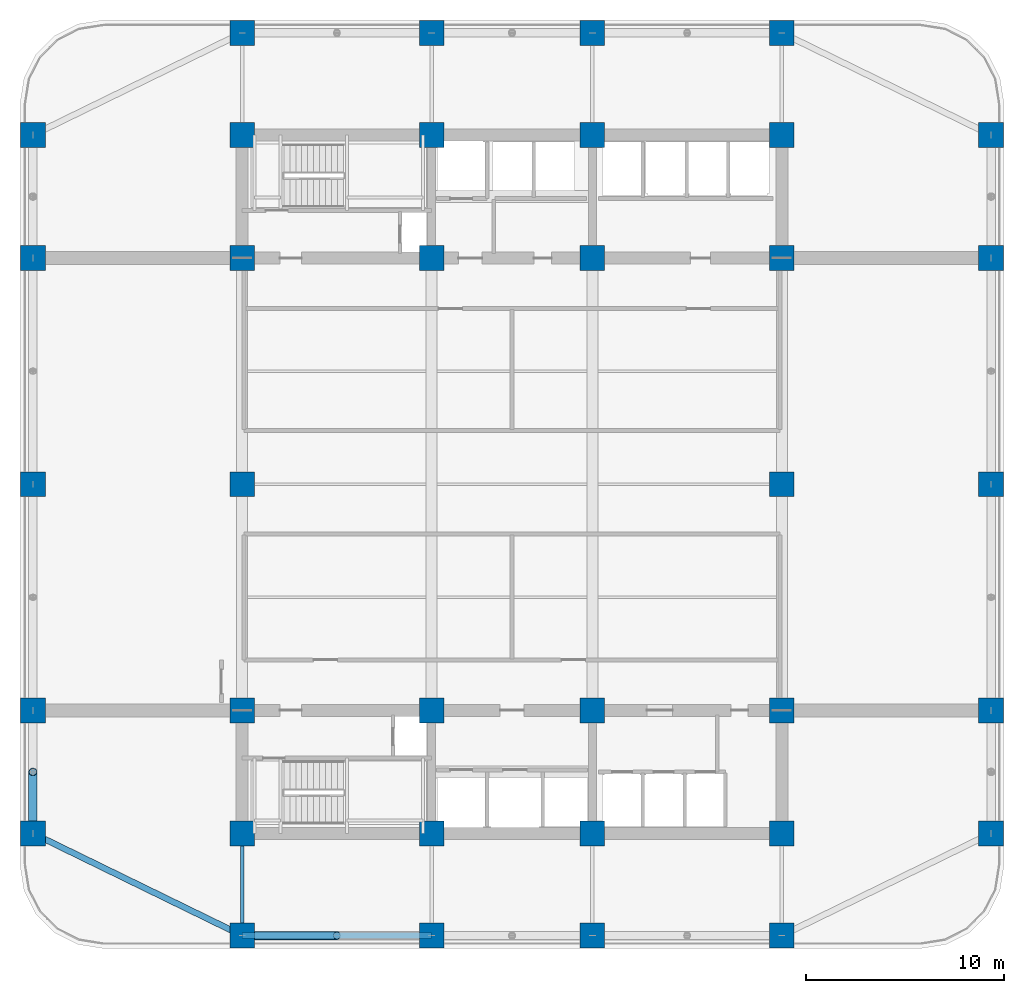
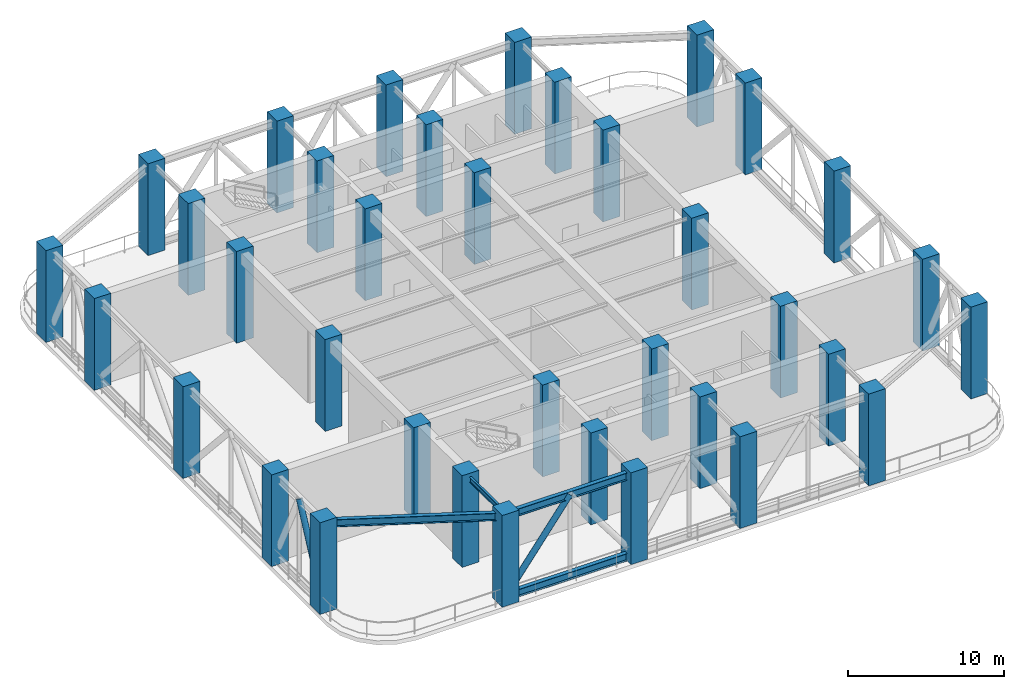
# One storey, part 1 of 20: 36 columns, 4 beams, 2 members.
"""IFC4 building model written with IfcOpenShell, lengths in metres."""

from ifc_helpers import new_model, si_unit, direction, frame, origin, origin_2d, place, context, subcontext, project, spatial, rectangle, hollow_circle, i_section, extrude, material, material_profile, profile_set, type_object, element, save


model = new_model("IFC4")

# Units and contexts
model_context = context("Model", 3, precision=1e-05, world=origin(), true_north=direction((0.0, 1.0)))
body_context = subcontext(model_context, "Body", "Model", "MODEL_VIEW")
ifc_project = project(units=[si_unit("LENGTHUNIT", "METRE"), si_unit("AREAUNIT", "SQUARE_METRE"), si_unit("VOLUMEUNIT", "CUBIC_METRE"), si_unit("PLANEANGLEUNIT", "RADIAN"), si_unit("MASSUNIT", "GRAM", prefix="KILO")], contexts=[model_context])

# Site, building, storey
site_placement = place(None, origin())
site = spatial("IfcSite", under=ifc_project, at=site_placement, CompositionType="ELEMENT")
building_placement = place(site_placement, origin())
building = spatial("IfcBuilding", under=site, at=building_placement, Name="Svetorya Sky Lyceum", CompositionType="ELEMENT")
storey_placement = place(building_placement, frame((0.0, 0.0, 76.89990234375)))
storey = spatial("IfcBuildingStorey", under=building, at=storey_placement, Name="L19", CompositionType="ELEMENT", Elevation=76.89990234375)

# Columns
ifc_material_1 = material(Name="Concrete C60/75", Category="concrete")
ifc_material_profile_1 = material_profile(ifc_material_1, rectangle(XDim=1.25, YDim=1.25, at=origin_2d()), Name="RC COL 1250x1250")
ifc_profile_set_1 = profile_set([ifc_material_profile_1], Name="Concrete C60/75")
column_type = type_object("IfcColumnType", Name="COL-RC-1250", PredefinedType="COLUMN", material=ifc_profile_set_1)
for number, where, z_axis, x_axis, name in (
    (1, (25.60009765625, 10.60009765625, 0.0), (0.0, 0.0, 1.0), (1.0, 0.0, 0.0), "L19 Core Column CS-11"),
    (2, (25.60009765625, 16.800048828125, 0.0), (0.0, 0.0, 1.0), (1.0, 0.0, 0.0), "L19 Core Column CS-12"),
    (3, (35.14990234375, 10.60009765625, 0.0), (0.0, 0.0, 1.0), (1.0, 0.0, 0.0), "L19 Core Column CS-21"),
    (4, (35.14990234375, 16.800048828125, 0.0), (0.0, 0.0, 1.0), (1.0, 0.0, 0.0), "L19 Core Column CS-22"),
    (5, (43.25, 10.60009765625, 0.0), (0.0, 0.0, 1.0), (1.0, 0.0, 0.0), "L19 Core Column CS-31"),
    (6, (43.25, 16.800048828125, 0.0), (0.0, 0.0, 1.0), (1.0, 0.0, 0.0), "L19 Core Column CS-32"),
    (7, (52.800048828125, 10.60009765625, 0.0), (0.0, 0.0, 1.0), (1.0, 0.0, 0.0), "L19 Core Column CS-41"),
    (8, (52.800048828125, 16.800048828125, 0.0), (0.0, 0.0, 1.0), (1.0, 0.0, 0.0), "L19 Core Column CS-42"),
    (9, (25.60009765625, 39.60009765625, 0.0), (0.0, 0.0, 1.0), (1.0, 0.0, 0.0), "L19 Core Column CN-11"),
    (10, (25.60009765625, 45.800048828125, 0.0), (0.0, 0.0, 1.0), (1.0, 0.0, 0.0), "L19 Core Column CN-12"),
    (11, (35.14990234375, 39.60009765625, 0.0), (0.0, 0.0, 1.0), (1.0, 0.0, 0.0), "L19 Core Column CN-21"),
    (12, (35.14990234375, 45.800048828125, 0.0), (0.0, 0.0, 1.0), (1.0, 0.0, 0.0), "L19 Core Column CN-22"),
    (13, (43.25, 39.60009765625, 0.0), (0.0, 0.0, 1.0), (1.0, 0.0, 0.0), "L19 Core Column CN-31"),
    (14, (43.25, 45.800048828125, 0.0), (0.0, 0.0, 1.0), (1.0, 0.0, 0.0), "L19 Core Column CN-32"),
    (15, (52.800048828125, 39.60009765625, 0.0), (0.0, 0.0, 1.0), (1.0, 0.0, 0.0), "L19 Core Column CN-41"),
    (16, (52.800048828125, 45.800048828125, 0.0), (0.0, 0.0, 1.0), (1.0, 0.0, 0.0), "L19 Core Column CN-42"),
    (17, (25.60009765625, 28.199951171875, 0.0), (0.0, 0.0, 1.0), (1.0, 0.0, 0.0), "L19 Core Column CM-W"),
    (18, (52.800048828125, 28.199951171875, 0.0), (0.0, 0.0, 1.0), (1.0, 0.0, 0.0), "L19 Core Column CM-E"),
    (19, (25.60009765625, 5.449951171875, 0.0), (0.0, 0.0, 1.0), (1.0, 0.0, 0.0), "L19 Perimeter Column S1"),
    (20, (25.60009765625, 50.949951171875, 0.0), (0.0, 0.0, 1.0), (1.0, 0.0, 0.0), "L19 Perimeter Column N1"),
    (21, (35.14990234375, 5.449951171875, 0.0), (0.0, 0.0, 1.0), (1.0, 0.0, 0.0), "L19 Perimeter Column S2"),
    (22, (35.14990234375, 50.949951171875, 0.0), (0.0, 0.0, 1.0), (1.0, 0.0, 0.0), "L19 Perimeter Column N2"),
    (23, (43.25, 5.449951171875, 0.0), (0.0, 0.0, 1.0), (1.0, 0.0, 0.0), "L19 Perimeter Column S3"),
    (24, (43.25, 50.949951171875, 0.0), (0.0, 0.0, 1.0), (1.0, 0.0, 0.0), "L19 Perimeter Column N3"),
    (25, (52.800048828125, 5.449951171875, 0.0), (0.0, 0.0, 1.0), (1.0, 0.0, 0.0), "L19 Perimeter Column S4"),
    (26, (52.800048828125, 50.949951171875, 0.0), (0.0, 0.0, 1.0), (1.0, 0.0, 0.0), "L19 Perimeter Column N4"),
    (27, (15.050048828125, 10.60009765625, 0.0), (0.0, 0.0, 1.0), (1.0, 0.0, 0.0), "L19 Perimeter Column W1"),
    (28, (63.35009765625, 10.60009765625, 0.0), (0.0, 0.0, 1.0), (1.0, 0.0, 0.0), "L19 Perimeter Column E1"),
    (29, (15.050048828125, 16.800048828125, 0.0), (0.0, 0.0, 1.0), (1.0, 0.0, 0.0), "L19 Perimeter Column W2"),
    (30, (63.35009765625, 16.800048828125, 0.0), (0.0, 0.0, 1.0), (1.0, 0.0, 0.0), "L19 Perimeter Column E2"),
    (31, (15.050048828125, 28.199951171875, 0.0), (0.0, 0.0, 1.0), (1.0, 0.0, 0.0), "L19 Perimeter Column W3"),
    (32, (63.35009765625, 28.199951171875, 0.0), (0.0, 0.0, 1.0), (1.0, 0.0, 0.0), "L19 Perimeter Column E3"),
    (33, (15.050048828125, 39.60009765625, 0.0), (0.0, 0.0, 1.0), (1.0, 0.0, 0.0), "L19 Perimeter Column W4"),
    (34, (63.35009765625, 39.60009765625, 0.0), (0.0, 0.0, 1.0), (1.0, 0.0, 0.0), "L19 Perimeter Column E4"),
    (35, (15.050048828125, 45.800048828125, 0.0), (0.0, 0.0, 1.0), (1.0, 0.0, 0.0), "L19 Perimeter Column W5"),
    (36, (63.35009765625, 45.800048828125, 0.0), (0.0, 0.0, 1.0), (1.0, 0.0, 0.0), "L19 Perimeter Column E5"),
):
    element("IfcColumn", number, at=place(storey_placement, frame(where, z_axis=z_axis, x_axis=x_axis)), inside=storey, type_object=column_type, Name=name, PredefinedType="COLUMN", context=body_context, shape_type="SweptSolid", body=[
        extrude(rectangle(XDim=1.25, YDim=1.25, at=origin_2d()), origin(), (0.0, 0.0, 1.0), 7.2001953125),
    ])

# Beams
ifc_material_2 = material(Name="Steel S355", Category="steel")
ifc_material_profile_2 = material_profile(ifc_material_2, i_section(OverallWidth=0.1650390625, OverallDepth=0.39990234375, WebThickness=0.008056640625, FlangeThickness=0.012939453125, at=origin_2d()), Name="GOST 40B2")
ifc_profile_set_2 = profile_set([ifc_material_profile_2], Name="Steel S355")
beam_type_1 = type_object("IfcBeamType", Name="BM-STL-40B2", PredefinedType="JOIST", material=ifc_profile_set_2)
beam_1_placement = place(storey_placement, frame((25.60009765625, 5.449951171875, 6.72021484375), z_axis=(0.0, 1.0, 0.0), x_axis=(-1.0, 0.0, 0.0)))
element("IfcBeam", 37, at=beam_1_placement, inside=storey, type_object=beam_type_1, Name="L19 South Bay Floor Girder S1", PredefinedType="JOIST", context=body_context, shape_type="SweptSolid", body=[
    extrude(i_section(OverallWidth=0.1650390625, OverallDepth=0.39990234375, WebThickness=0.008056640625, FlangeThickness=0.012939453125, at=origin_2d()), origin(), (0.0, 0.0, 1.0), 5.150146484375),
])
ifc_material_profile_3 = material_profile(ifc_material_2, i_section(OverallWidth=0.304931640625, OverallDepth=0.590087890625, WebThickness=0.014892578125, FlangeThickness=0.02392578125, at=origin_2d()), Name="GOST 60Sh2")
ifc_profile_set_3 = profile_set([ifc_material_profile_3], Name="Steel S355")
beam_type_2 = type_object("IfcBeamType", Name="BM-STL-60SH2", PredefinedType="BEAM", material=ifc_profile_set_3)
for number, where, z_axis, x_axis, name in (
    (38, (25.60009765625, 5.449951171875, 0.295166015625), (1.0, 0.0, 0.0), (0.0, 1.0, 0.0), "L19 Belt Truss Bottom Chord S-1"),
    (39, (25.60009765625, 5.449951171875, 6.625), (1.0, 0.0, 0.0), (0.0, 1.0, 0.0), "L19 Belt Truss Top Chord S-1"),
):
    element("IfcBeam", number, at=place(storey_placement, frame(where, z_axis=z_axis, x_axis=x_axis)), inside=storey, type_object=beam_type_2, Name=name, PredefinedType="BEAM", context=body_context, shape_type="SweptSolid", body=[
        extrude(i_section(OverallWidth=0.304931640625, OverallDepth=0.590087890625, WebThickness=0.014892578125, FlangeThickness=0.02392578125, at=origin_2d()), origin(), (0.0, 0.0, 1.0), 9.5498046875),
    ])
beam_2_placement = place(storey_placement, frame((25.60009765625, 5.449951171875, 6.625), z_axis=(-0.898641495694, 0.438683783854, 0.0), x_axis=(-0.438683783854, -0.898641495694, 0.0)))
element("IfcBeam", 40, at=beam_2_placement, inside=storey, type_object=beam_type_2, Name="L19 Belt Truss Corner Tie 1", PredefinedType="BEAM", context=body_context, shape_type="SweptSolid", body=[
    extrude(i_section(OverallWidth=0.304931640625, OverallDepth=0.590087890625, WebThickness=0.014892578125, FlangeThickness=0.02392578125, at=origin_2d()), origin(), (0.0, 0.0, 1.0), 11.739990234375),
])

# Members
ifc_material_profile_4 = material_profile(ifc_material_2, hollow_circle(Radius=0.212890625, WallThickness=0.01806640625, at=origin_2d()), Name="CHS 426x18")
ifc_profile_set_4 = profile_set([ifc_material_profile_4], Name="Steel S355")
member_type = type_object("IfcMemberType", Name="MB-BRC-CHS426", PredefinedType="BRACE", material=ifc_profile_set_4)
member_1_placement = place(storey_placement, frame((25.60009765625, 5.449951171875, 0.295166015625), z_axis=(0.602219598405, 0.0, 0.79833048), x_axis=(0.0, 1.0, 0.0)))
element("IfcMember", 41, at=member_1_placement, inside=storey, type_object=member_type, Name="L19 Belt Truss Diagonal S-1A", PredefinedType="BRACE", context=body_context, shape_type="SweptSolid", body=[
    extrude(hollow_circle(Radius=0.212890625, WallThickness=0.01806640625, at=origin_2d()), origin(), (0.0, 0.0, 1.0), 7.928955078125),
])
member_2_placement = place(storey_placement, frame((15.050048828125, 10.60009765625, 0.295166015625), z_axis=(0.0, 0.439813284341, 0.898089235498), x_axis=(-1.0, 0.0, 0.0)))
element("IfcMember", 42, at=member_2_placement, inside=storey, type_object=member_type, Name="L19 Belt Truss Diagonal W-1A", PredefinedType="BRACE", context=body_context, shape_type="SweptSolid", body=[
    extrude(hollow_circle(Radius=0.212890625, WallThickness=0.01806640625, at=origin_2d()), origin(), (0.0, 0.0, 1.0), 7.048095703125),
])

save(model, "model.ifc")
